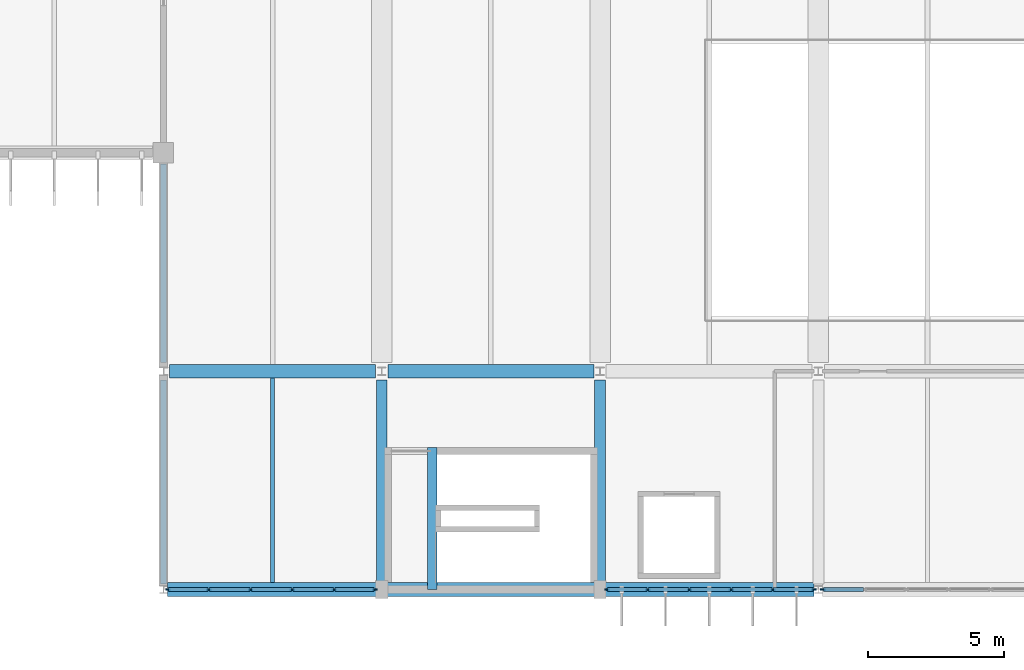
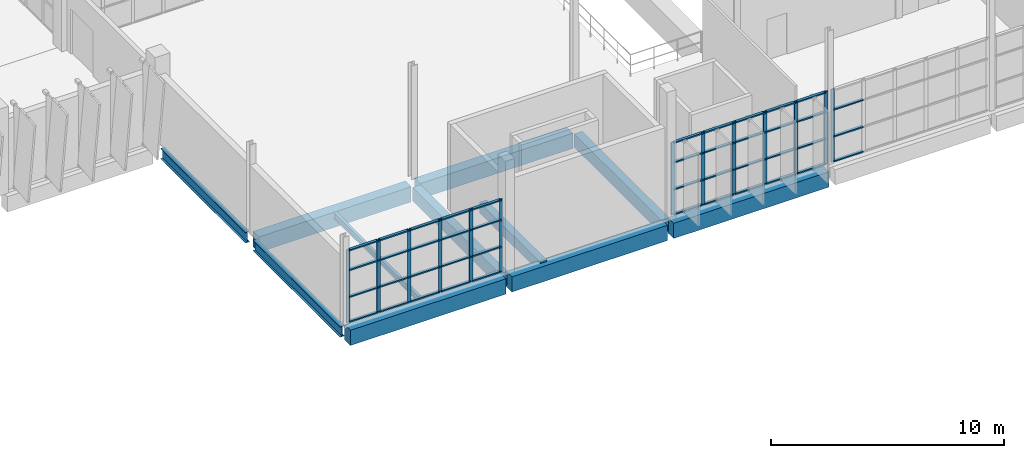
# One storey, part 17 of 93: 56 members, 11 beams, 3 elements without a shape of their own.
"""IFC4 building model written with IfcOpenShell, lengths in metres."""

from ifc_helpers import new_model, si_unit, direction, frame, origin, origin_2d, place, context, subcontext, project, spatial, rectangle, i_section, extrude, material, layer, layer_set, material_profile, profile_set, type_object, element, aggregate, save


model = new_model("IFC4")

# Units and contexts
model_context = context("Model", 3, precision=1e-05, world=origin(), true_north=direction((0.0, 1.0)))
body_context = subcontext(model_context, "Body", "Model", "MODEL_VIEW")
ifc_project = project(units=[si_unit("LENGTHUNIT", "METRE"), si_unit("AREAUNIT", "SQUARE_METRE"), si_unit("VOLUMEUNIT", "CUBIC_METRE"), si_unit("PLANEANGLEUNIT", "RADIAN"), si_unit("MASSUNIT", "GRAM", prefix="KILO")], contexts=[model_context])

# Site, building, storey
site_placement = place(None, origin())
site = spatial("IfcSite", under=ifc_project, at=site_placement, CompositionType="ELEMENT")
building_placement = place(site_placement, origin())
building = spatial("IfcBuilding", under=site, at=building_placement, Name="Drelvana Railside Aquatics Centre", CompositionType="ELEMENT")
storey_placement = place(building_placement, frame((0.0, 0.0, 5.39990234375)))
storey = spatial("IfcBuildingStorey", under=building, at=storey_placement, Name="L01", CompositionType="ELEMENT", Elevation=5.39990234375)

# Curtain wall, members
ifc_material_1 = material(Name="Bronze-anodised aluminium curtain wall", Category="aluminium")
ifc_layer = layer(ifc_material_1, 0.18994140625, Name="Bronze-anodised aluminium curtain wall")
ifc_layer_set = layer_set([ifc_layer], Name="Bronze-anodised aluminium curtain wall")
curtain_wall_type = type_object("IfcCurtainWallType", Name="CW-Z4-FOYER", PredefinedType="NOTDEFINED", material=ifc_layer_set)
curtain_wall_1_placement = place(storey_placement, origin())
curtain_wall_1 = element("IfcCurtainWall", 1, at=curtain_wall_1_placement, inside=storey, type_object=curtain_wall_type, Name="Curtain wall CW-04-099", PredefinedType="NOTDEFINED")
ifc_material_2 = material(Name="Bronze-anodised aluminium 6063-T6", Category="aluminium")
ifc_material_profile_1 = material_profile(ifc_material_2, rectangle(XDim=0.06494140625, YDim=0.175048828125, at=origin_2d()), Name="ALU-M 65x175")
ifc_profile_set_1 = profile_set([ifc_material_profile_1], Name="Bronze-anodised aluminium 6063-T6")
member_type_1 = type_object("IfcMemberType", Name="CW-Z4-FOYER-MUL", PredefinedType="MULLION", material=ifc_profile_set_1)
member_1_placement = place(storey_placement, frame((96.16650390625, 0.0, -0.005859375), z_axis=(0.0, 0.0, 1.0), x_axis=(0.0, 1.0, 0.0)))
member_1 = element("IfcMember", 2, at=member_1_placement, type_object=member_type_1, Name="CW-04 mullion 1", PredefinedType="MULLION", context=body_context, shape_type="SweptSolid", body=[
    extrude(rectangle(XDim=0.06494140625, YDim=0.175048828125, at=origin_2d()), origin(), (0.0, 0.0, 1.0), 3.805908203125),
])
member_2_placement = place(storey_placement, frame((97.663330078125, 0.0, -0.005859375), z_axis=(0.0, 0.0, 1.0), x_axis=(0.0, 1.0, 0.0)))
member_2 = element("IfcMember", 3, at=member_2_placement, type_object=member_type_1, Name="CW-04 mullion 2", PredefinedType="MULLION", context=body_context, shape_type="SweptSolid", body=[
    extrude(rectangle(XDim=0.06494140625, YDim=0.175048828125, at=origin_2d()), origin(), (0.0, 0.0, 1.0), 3.805908203125),
])
member_3_placement = place(storey_placement, frame((99.19287109375, 0.0, -0.005859375), z_axis=(0.0, 0.0, 1.0), x_axis=(0.0, 1.0, 0.0)))
member_3 = element("IfcMember", 4, at=member_3_placement, type_object=member_type_1, Name="CW-04 mullion 3", PredefinedType="MULLION", context=body_context, shape_type="SweptSolid", body=[
    extrude(rectangle(XDim=0.06494140625, YDim=0.175048828125, at=origin_2d()), origin(), (0.0, 0.0, 1.0), 3.805908203125),
])
member_4_placement = place(storey_placement, frame((100.72216796875, 0.0, -0.005859375), z_axis=(0.0, 0.0, 1.0), x_axis=(0.0, 1.0, 0.0)))
member_4 = element("IfcMember", 5, at=member_4_placement, type_object=member_type_1, Name="CW-04 mullion 4", PredefinedType="MULLION", context=body_context, shape_type="SweptSolid", body=[
    extrude(rectangle(XDim=0.06494140625, YDim=0.175048828125, at=origin_2d()), origin(), (0.0, 0.0, 1.0), 3.805908203125),
])
member_5_placement = place(storey_placement, frame((102.251708984375, 0.0, -0.005859375), z_axis=(0.0, 0.0, 1.0), x_axis=(0.0, 1.0, 0.0)))
member_5 = element("IfcMember", 6, at=member_5_placement, type_object=member_type_1, Name="CW-04 mullion 5", PredefinedType="MULLION", context=body_context, shape_type="SweptSolid", body=[
    extrude(rectangle(XDim=0.06494140625, YDim=0.175048828125, at=origin_2d()), origin(), (0.0, 0.0, 1.0), 3.805908203125),
])
member_6_placement = place(storey_placement, frame((103.74853515625, 0.0, -0.005859375), z_axis=(0.0, 0.0, 1.0), x_axis=(0.0, 1.0, 0.0)))
member_6 = element("IfcMember", 7, at=member_6_placement, type_object=member_type_1, Name="CW-04 mullion 6", PredefinedType="MULLION", context=body_context, shape_type="SweptSolid", body=[
    extrude(rectangle(XDim=0.06494140625, YDim=0.175048828125, at=origin_2d()), origin(), (0.0, 0.0, 1.0), 3.805908203125),
])

curtain_wall_2_placement = place(storey_placement, origin())
curtain_wall_2 = element("IfcCurtainWall", 8, at=curtain_wall_2_placement, inside=storey, type_object=curtain_wall_type, Name="Curtain wall CW-04-105", PredefinedType="NOTDEFINED")
member_7_placement = place(storey_placement, frame((112.25146484375, 0.0, -0.005859375), z_axis=(0.0, 0.0, 1.0), x_axis=(0.0, 1.0, 0.0)))
member_7 = element("IfcMember", 9, at=member_7_placement, type_object=member_type_1, Name="CW-04 mullion 1", PredefinedType="MULLION", context=body_context, shape_type="SweptSolid", body=[
    extrude(rectangle(XDim=0.06494140625, YDim=0.175048828125, at=origin_2d()), origin(), (0.0, 0.0, 1.0), 3.805908203125),
])
member_8_placement = place(storey_placement, frame((113.748291015625, 0.0, -0.005859375), z_axis=(0.0, 0.0, 1.0), x_axis=(0.0, 1.0, 0.0)))
member_8 = element("IfcMember", 10, at=member_8_placement, type_object=member_type_1, Name="CW-04 mullion 2", PredefinedType="MULLION", context=body_context, shape_type="SweptSolid", body=[
    extrude(rectangle(XDim=0.06494140625, YDim=0.175048828125, at=origin_2d()), origin(), (0.0, 0.0, 1.0), 3.805908203125),
])
member_9_placement = place(storey_placement, frame((115.27783203125, 0.0, -0.005859375), z_axis=(0.0, 0.0, 1.0), x_axis=(0.0, 1.0, 0.0)))
member_9 = element("IfcMember", 11, at=member_9_placement, type_object=member_type_1, Name="CW-04 mullion 3", PredefinedType="MULLION", context=body_context, shape_type="SweptSolid", body=[
    extrude(rectangle(XDim=0.06494140625, YDim=0.175048828125, at=origin_2d()), origin(), (0.0, 0.0, 1.0), 3.805908203125),
])
member_10_placement = place(storey_placement, frame((116.80712890625, 0.0, -0.005859375), z_axis=(0.0, 0.0, 1.0), x_axis=(0.0, 1.0, 0.0)))
member_10 = element("IfcMember", 12, at=member_10_placement, type_object=member_type_1, Name="CW-04 mullion 4", PredefinedType="MULLION", context=body_context, shape_type="SweptSolid", body=[
    extrude(rectangle(XDim=0.06494140625, YDim=0.175048828125, at=origin_2d()), origin(), (0.0, 0.0, 1.0), 3.805908203125),
])
member_11_placement = place(storey_placement, frame((118.336669921875, 0.0, -0.005859375), z_axis=(0.0, 0.0, 1.0), x_axis=(0.0, 1.0, 0.0)))
member_11 = element("IfcMember", 13, at=member_11_placement, type_object=member_type_1, Name="CW-04 mullion 5", PredefinedType="MULLION", context=body_context, shape_type="SweptSolid", body=[
    extrude(rectangle(XDim=0.06494140625, YDim=0.175048828125, at=origin_2d()), origin(), (0.0, 0.0, 1.0), 3.805908203125),
])
member_12_placement = place(storey_placement, frame((119.83349609375, 0.0, -0.005859375), z_axis=(0.0, 0.0, 1.0), x_axis=(0.0, 1.0, 0.0)))
member_12 = element("IfcMember", 14, at=member_12_placement, type_object=member_type_1, Name="CW-04 mullion 6", PredefinedType="MULLION", context=body_context, shape_type="SweptSolid", body=[
    extrude(rectangle(XDim=0.06494140625, YDim=0.175048828125, at=origin_2d()), origin(), (0.0, 0.0, 1.0), 3.805908203125),
])

# Curtain wall, member
curtain_wall_3_placement = place(storey_placement, origin())
curtain_wall_3 = element("IfcCurtainWall", 15, at=curtain_wall_3_placement, inside=storey, type_object=curtain_wall_type, Name="Curtain wall CW-04-108", PredefinedType="NOTDEFINED")
member_13_placement = place(storey_placement, frame((120.16650390625, 0.0, -0.005859375), z_axis=(0.0, 0.0, 1.0), x_axis=(0.0, 1.0, 0.0)))
member_13 = element("IfcMember", 16, at=member_13_placement, type_object=member_type_1, Name="CW-04 mullion 1", PredefinedType="MULLION", context=body_context, shape_type="SweptSolid", body=[
    extrude(rectangle(XDim=0.06494140625, YDim=0.175048828125, at=origin_2d()), origin(), (0.0, 0.0, 1.0), 3.805908203125),
])

# Member
ifc_material_profile_2 = material_profile(ifc_material_2, rectangle(XDim=0.139892578125, YDim=0.06494140625, at=origin_2d()), Name="ALU-T 65x140")
ifc_profile_set_2 = profile_set([ifc_material_profile_2], Name="Bronze-anodised aluminium 6063-T6")
member_type_2 = type_object("IfcMemberType", Name="CW-Z4-FOYER-TRN", PredefinedType="USERDEFINED", material=ifc_profile_set_2)
member_14_placement = place(storey_placement, frame((96.194091796875, 0.0, 0.026611328125), z_axis=(1.0, 0.0, 0.0), x_axis=(0.0, 1.0, 0.0)))
member_14 = element("IfcMember", 17, at=member_14_placement, type_object=member_type_2, Name="CW-04 transom 1.1", ObjectType="TRANSOM", PredefinedType="USERDEFINED", context=body_context, shape_type="SweptSolid", body=[
    extrude(rectangle(XDim=0.139892578125, YDim=0.06494140625, at=origin_2d()), origin(), (0.0, 0.0, 1.0), 1.44189453125),
])

member_15_placement = place(storey_placement, frame((96.194091796875, 0.0, 1.326171875), z_axis=(1.0, 0.0, 0.0), x_axis=(0.0, 1.0, 0.0)))
member_15 = element("IfcMember", 18, at=member_15_placement, type_object=member_type_2, Name="CW-04 transom 1.2", ObjectType="TRANSOM", PredefinedType="USERDEFINED", context=body_context, shape_type="SweptSolid", body=[
    extrude(rectangle(XDim=0.139892578125, YDim=0.06494140625, at=origin_2d()), origin(), (0.0, 0.0, 1.0), 1.44189453125),
])

member_16_placement = place(storey_placement, frame((96.194091796875, 0.0, 2.734130859375), z_axis=(1.0, 0.0, 0.0), x_axis=(0.0, 1.0, 0.0)))
member_16 = element("IfcMember", 19, at=member_16_placement, type_object=member_type_2, Name="CW-04 transom 1.3", ObjectType="TRANSOM", PredefinedType="USERDEFINED", context=body_context, shape_type="SweptSolid", body=[
    extrude(rectangle(XDim=0.139892578125, YDim=0.06494140625, at=origin_2d()), origin(), (0.0, 0.0, 1.0), 1.44189453125),
])

member_17_placement = place(storey_placement, frame((96.194091796875, 0.0, 3.767578125), z_axis=(1.0, 0.0, 0.0), x_axis=(0.0, 1.0, 0.0)))
member_17 = element("IfcMember", 20, at=member_17_placement, type_object=member_type_2, Name="CW-04 transom 1.4", ObjectType="TRANSOM", PredefinedType="USERDEFINED", context=body_context, shape_type="SweptSolid", body=[
    extrude(rectangle(XDim=0.139892578125, YDim=0.06494140625, at=origin_2d()), origin(), (0.0, 0.0, 1.0), 1.44189453125),
])

member_18_placement = place(storey_placement, frame((97.69091796875, 0.0, 0.026611328125), z_axis=(1.0, 0.0, 0.0), x_axis=(0.0, 1.0, 0.0)))
member_18 = element("IfcMember", 21, at=member_18_placement, type_object=member_type_2, Name="CW-04 transom 2.1", ObjectType="TRANSOM", PredefinedType="USERDEFINED", context=body_context, shape_type="SweptSolid", body=[
    extrude(rectangle(XDim=0.139892578125, YDim=0.06494140625, at=origin_2d()), origin(), (0.0, 0.0, 1.0), 1.474365234375),
])

member_19_placement = place(storey_placement, frame((97.69091796875, 0.0, 1.326171875), z_axis=(1.0, 0.0, 0.0), x_axis=(0.0, 1.0, 0.0)))
member_19 = element("IfcMember", 22, at=member_19_placement, type_object=member_type_2, Name="CW-04 transom 2.2", ObjectType="TRANSOM", PredefinedType="USERDEFINED", context=body_context, shape_type="SweptSolid", body=[
    extrude(rectangle(XDim=0.139892578125, YDim=0.06494140625, at=origin_2d()), origin(), (0.0, 0.0, 1.0), 1.474365234375),
])

member_20_placement = place(storey_placement, frame((97.69091796875, 0.0, 2.734130859375), z_axis=(1.0, 0.0, 0.0), x_axis=(0.0, 1.0, 0.0)))
member_20 = element("IfcMember", 23, at=member_20_placement, type_object=member_type_2, Name="CW-04 transom 2.3", ObjectType="TRANSOM", PredefinedType="USERDEFINED", context=body_context, shape_type="SweptSolid", body=[
    extrude(rectangle(XDim=0.139892578125, YDim=0.06494140625, at=origin_2d()), origin(), (0.0, 0.0, 1.0), 1.474365234375),
])

member_21_placement = place(storey_placement, frame((97.69091796875, 0.0, 3.767578125), z_axis=(1.0, 0.0, 0.0), x_axis=(0.0, 1.0, 0.0)))
member_21 = element("IfcMember", 24, at=member_21_placement, type_object=member_type_2, Name="CW-04 transom 2.4", ObjectType="TRANSOM", PredefinedType="USERDEFINED", context=body_context, shape_type="SweptSolid", body=[
    extrude(rectangle(XDim=0.139892578125, YDim=0.06494140625, at=origin_2d()), origin(), (0.0, 0.0, 1.0), 1.474365234375),
])

member_22_placement = place(storey_placement, frame((99.22021484375, 0.0, 0.026611328125), z_axis=(1.0, 0.0, 0.0), x_axis=(0.0, 1.0, 0.0)))
member_22 = element("IfcMember", 25, at=member_22_placement, type_object=member_type_2, Name="CW-04 transom 3.1", ObjectType="TRANSOM", PredefinedType="USERDEFINED", context=body_context, shape_type="SweptSolid", body=[
    extrude(rectangle(XDim=0.139892578125, YDim=0.06494140625, at=origin_2d()), origin(), (0.0, 0.0, 1.0), 1.474365234375),
])

member_23_placement = place(storey_placement, frame((99.22021484375, 0.0, 1.326171875), z_axis=(1.0, 0.0, 0.0), x_axis=(0.0, 1.0, 0.0)))
member_23 = element("IfcMember", 26, at=member_23_placement, type_object=member_type_2, Name="CW-04 transom 3.2", ObjectType="TRANSOM", PredefinedType="USERDEFINED", context=body_context, shape_type="SweptSolid", body=[
    extrude(rectangle(XDim=0.139892578125, YDim=0.06494140625, at=origin_2d()), origin(), (0.0, 0.0, 1.0), 1.474365234375),
])

member_24_placement = place(storey_placement, frame((99.22021484375, 0.0, 2.734130859375), z_axis=(1.0, 0.0, 0.0), x_axis=(0.0, 1.0, 0.0)))
member_24 = element("IfcMember", 27, at=member_24_placement, type_object=member_type_2, Name="CW-04 transom 3.3", ObjectType="TRANSOM", PredefinedType="USERDEFINED", context=body_context, shape_type="SweptSolid", body=[
    extrude(rectangle(XDim=0.139892578125, YDim=0.06494140625, at=origin_2d()), origin(), (0.0, 0.0, 1.0), 1.474365234375),
])

member_25_placement = place(storey_placement, frame((99.22021484375, 0.0, 3.767578125), z_axis=(1.0, 0.0, 0.0), x_axis=(0.0, 1.0, 0.0)))
member_25 = element("IfcMember", 28, at=member_25_placement, type_object=member_type_2, Name="CW-04 transom 3.4", ObjectType="TRANSOM", PredefinedType="USERDEFINED", context=body_context, shape_type="SweptSolid", body=[
    extrude(rectangle(XDim=0.139892578125, YDim=0.06494140625, at=origin_2d()), origin(), (0.0, 0.0, 1.0), 1.474365234375),
])

member_26_placement = place(storey_placement, frame((100.749755859375, 0.0, 0.026611328125), z_axis=(1.0, 0.0, 0.0), x_axis=(0.0, 1.0, 0.0)))
member_26 = element("IfcMember", 29, at=member_26_placement, type_object=member_type_2, Name="CW-04 transom 4.1", ObjectType="TRANSOM", PredefinedType="USERDEFINED", context=body_context, shape_type="SweptSolid", body=[
    extrude(rectangle(XDim=0.139892578125, YDim=0.06494140625, at=origin_2d()), origin(), (0.0, 0.0, 1.0), 1.474365234375),
])

member_27_placement = place(storey_placement, frame((100.749755859375, 0.0, 1.326171875), z_axis=(1.0, 0.0, 0.0), x_axis=(0.0, 1.0, 0.0)))
member_27 = element("IfcMember", 30, at=member_27_placement, type_object=member_type_2, Name="CW-04 transom 4.2", ObjectType="TRANSOM", PredefinedType="USERDEFINED", context=body_context, shape_type="SweptSolid", body=[
    extrude(rectangle(XDim=0.139892578125, YDim=0.06494140625, at=origin_2d()), origin(), (0.0, 0.0, 1.0), 1.474365234375),
])

member_28_placement = place(storey_placement, frame((100.749755859375, 0.0, 2.734130859375), z_axis=(1.0, 0.0, 0.0), x_axis=(0.0, 1.0, 0.0)))
member_28 = element("IfcMember", 31, at=member_28_placement, type_object=member_type_2, Name="CW-04 transom 4.3", ObjectType="TRANSOM", PredefinedType="USERDEFINED", context=body_context, shape_type="SweptSolid", body=[
    extrude(rectangle(XDim=0.139892578125, YDim=0.06494140625, at=origin_2d()), origin(), (0.0, 0.0, 1.0), 1.474365234375),
])

member_29_placement = place(storey_placement, frame((100.749755859375, 0.0, 3.767578125), z_axis=(1.0, 0.0, 0.0), x_axis=(0.0, 1.0, 0.0)))
member_29 = element("IfcMember", 32, at=member_29_placement, type_object=member_type_2, Name="CW-04 transom 4.4", ObjectType="TRANSOM", PredefinedType="USERDEFINED", context=body_context, shape_type="SweptSolid", body=[
    extrude(rectangle(XDim=0.139892578125, YDim=0.06494140625, at=origin_2d()), origin(), (0.0, 0.0, 1.0), 1.474365234375),
])

member_30_placement = place(storey_placement, frame((102.279052734375, 0.0, 0.026611328125), z_axis=(1.0, 0.0, 0.0), x_axis=(0.0, 1.0, 0.0)))
member_30 = element("IfcMember", 33, at=member_30_placement, type_object=member_type_2, Name="CW-04 transom 5.1", ObjectType="TRANSOM", PredefinedType="USERDEFINED", context=body_context, shape_type="SweptSolid", body=[
    extrude(rectangle(XDim=0.139892578125, YDim=0.06494140625, at=origin_2d()), origin(), (0.0, 0.0, 1.0), 1.44189453125),
])

member_31_placement = place(storey_placement, frame((102.279052734375, 0.0, 1.326171875), z_axis=(1.0, 0.0, 0.0), x_axis=(0.0, 1.0, 0.0)))
member_31 = element("IfcMember", 34, at=member_31_placement, type_object=member_type_2, Name="CW-04 transom 5.2", ObjectType="TRANSOM", PredefinedType="USERDEFINED", context=body_context, shape_type="SweptSolid", body=[
    extrude(rectangle(XDim=0.139892578125, YDim=0.06494140625, at=origin_2d()), origin(), (0.0, 0.0, 1.0), 1.44189453125),
])

member_32_placement = place(storey_placement, frame((102.279052734375, 0.0, 2.734130859375), z_axis=(1.0, 0.0, 0.0), x_axis=(0.0, 1.0, 0.0)))
member_32 = element("IfcMember", 35, at=member_32_placement, type_object=member_type_2, Name="CW-04 transom 5.3", ObjectType="TRANSOM", PredefinedType="USERDEFINED", context=body_context, shape_type="SweptSolid", body=[
    extrude(rectangle(XDim=0.139892578125, YDim=0.06494140625, at=origin_2d()), origin(), (0.0, 0.0, 1.0), 1.44189453125),
])

member_33_placement = place(storey_placement, frame((102.279052734375, 0.0, 3.767578125), z_axis=(1.0, 0.0, 0.0), x_axis=(0.0, 1.0, 0.0)))
member_33 = element("IfcMember", 36, at=member_33_placement, type_object=member_type_2, Name="CW-04 transom 5.4", ObjectType="TRANSOM", PredefinedType="USERDEFINED", context=body_context, shape_type="SweptSolid", body=[
    extrude(rectangle(XDim=0.139892578125, YDim=0.06494140625, at=origin_2d()), origin(), (0.0, 0.0, 1.0), 1.44189453125),
])

aggregate(curtain_wall_1, [member_1, member_2, member_3, member_4, member_5, member_6, member_14, member_15, member_16, member_17, member_18, member_19, member_20, member_21, member_22, member_23, member_24, member_25, member_26, member_27, member_28, member_29, member_30, member_31, member_32, member_33])

member_34_placement = place(storey_placement, frame((112.279052734375, 0.0, 0.026611328125), z_axis=(1.0, 0.0, 0.0), x_axis=(0.0, 1.0, 0.0)))
member_34 = element("IfcMember", 37, at=member_34_placement, type_object=member_type_2, Name="CW-04 transom 1.1", ObjectType="TRANSOM", PredefinedType="USERDEFINED", context=body_context, shape_type="SweptSolid", body=[
    extrude(rectangle(XDim=0.139892578125, YDim=0.06494140625, at=origin_2d()), origin(), (0.0, 0.0, 1.0), 1.44189453125),
])

member_35_placement = place(storey_placement, frame((112.279052734375, 0.0, 1.326171875), z_axis=(1.0, 0.0, 0.0), x_axis=(0.0, 1.0, 0.0)))
member_35 = element("IfcMember", 38, at=member_35_placement, type_object=member_type_2, Name="CW-04 transom 1.2", ObjectType="TRANSOM", PredefinedType="USERDEFINED", context=body_context, shape_type="SweptSolid", body=[
    extrude(rectangle(XDim=0.139892578125, YDim=0.06494140625, at=origin_2d()), origin(), (0.0, 0.0, 1.0), 1.44189453125),
])

member_36_placement = place(storey_placement, frame((112.279052734375, 0.0, 2.734130859375), z_axis=(1.0, 0.0, 0.0), x_axis=(0.0, 1.0, 0.0)))
member_36 = element("IfcMember", 39, at=member_36_placement, type_object=member_type_2, Name="CW-04 transom 1.3", ObjectType="TRANSOM", PredefinedType="USERDEFINED", context=body_context, shape_type="SweptSolid", body=[
    extrude(rectangle(XDim=0.139892578125, YDim=0.06494140625, at=origin_2d()), origin(), (0.0, 0.0, 1.0), 1.44189453125),
])

member_37_placement = place(storey_placement, frame((112.279052734375, 0.0, 3.767578125), z_axis=(1.0, 0.0, 0.0), x_axis=(0.0, 1.0, 0.0)))
member_37 = element("IfcMember", 40, at=member_37_placement, type_object=member_type_2, Name="CW-04 transom 1.4", ObjectType="TRANSOM", PredefinedType="USERDEFINED", context=body_context, shape_type="SweptSolid", body=[
    extrude(rectangle(XDim=0.139892578125, YDim=0.06494140625, at=origin_2d()), origin(), (0.0, 0.0, 1.0), 1.44189453125),
])

member_38_placement = place(storey_placement, frame((113.77587890625, 0.0, 0.026611328125), z_axis=(1.0, 0.0, 0.0), x_axis=(0.0, 1.0, 0.0)))
member_38 = element("IfcMember", 41, at=member_38_placement, type_object=member_type_2, Name="CW-04 transom 2.1", ObjectType="TRANSOM", PredefinedType="USERDEFINED", context=body_context, shape_type="SweptSolid", body=[
    extrude(rectangle(XDim=0.139892578125, YDim=0.06494140625, at=origin_2d()), origin(), (0.0, 0.0, 1.0), 1.474365234375),
])

member_39_placement = place(storey_placement, frame((113.77587890625, 0.0, 1.326171875), z_axis=(1.0, 0.0, 0.0), x_axis=(0.0, 1.0, 0.0)))
member_39 = element("IfcMember", 42, at=member_39_placement, type_object=member_type_2, Name="CW-04 transom 2.2", ObjectType="TRANSOM", PredefinedType="USERDEFINED", context=body_context, shape_type="SweptSolid", body=[
    extrude(rectangle(XDim=0.139892578125, YDim=0.06494140625, at=origin_2d()), origin(), (0.0, 0.0, 1.0), 1.474365234375),
])

member_40_placement = place(storey_placement, frame((113.77587890625, 0.0, 2.734130859375), z_axis=(1.0, 0.0, 0.0), x_axis=(0.0, 1.0, 0.0)))
member_40 = element("IfcMember", 43, at=member_40_placement, type_object=member_type_2, Name="CW-04 transom 2.3", ObjectType="TRANSOM", PredefinedType="USERDEFINED", context=body_context, shape_type="SweptSolid", body=[
    extrude(rectangle(XDim=0.139892578125, YDim=0.06494140625, at=origin_2d()), origin(), (0.0, 0.0, 1.0), 1.474365234375),
])

member_41_placement = place(storey_placement, frame((113.77587890625, 0.0, 3.767578125), z_axis=(1.0, 0.0, 0.0), x_axis=(0.0, 1.0, 0.0)))
member_41 = element("IfcMember", 44, at=member_41_placement, type_object=member_type_2, Name="CW-04 transom 2.4", ObjectType="TRANSOM", PredefinedType="USERDEFINED", context=body_context, shape_type="SweptSolid", body=[
    extrude(rectangle(XDim=0.139892578125, YDim=0.06494140625, at=origin_2d()), origin(), (0.0, 0.0, 1.0), 1.474365234375),
])

member_42_placement = place(storey_placement, frame((115.305419921875, 0.0, 0.026611328125), z_axis=(1.0, 0.0, 0.0), x_axis=(0.0, 1.0, 0.0)))
member_42 = element("IfcMember", 45, at=member_42_placement, type_object=member_type_2, Name="CW-04 transom 3.1", ObjectType="TRANSOM", PredefinedType="USERDEFINED", context=body_context, shape_type="SweptSolid", body=[
    extrude(rectangle(XDim=0.139892578125, YDim=0.06494140625, at=origin_2d()), origin(), (0.0, 0.0, 1.0), 1.474365234375),
])

member_43_placement = place(storey_placement, frame((115.305419921875, 0.0, 1.326171875), z_axis=(1.0, 0.0, 0.0), x_axis=(0.0, 1.0, 0.0)))
member_43 = element("IfcMember", 46, at=member_43_placement, type_object=member_type_2, Name="CW-04 transom 3.2", ObjectType="TRANSOM", PredefinedType="USERDEFINED", context=body_context, shape_type="SweptSolid", body=[
    extrude(rectangle(XDim=0.139892578125, YDim=0.06494140625, at=origin_2d()), origin(), (0.0, 0.0, 1.0), 1.474365234375),
])

member_44_placement = place(storey_placement, frame((115.305419921875, 0.0, 2.734130859375), z_axis=(1.0, 0.0, 0.0), x_axis=(0.0, 1.0, 0.0)))
member_44 = element("IfcMember", 47, at=member_44_placement, type_object=member_type_2, Name="CW-04 transom 3.3", ObjectType="TRANSOM", PredefinedType="USERDEFINED", context=body_context, shape_type="SweptSolid", body=[
    extrude(rectangle(XDim=0.139892578125, YDim=0.06494140625, at=origin_2d()), origin(), (0.0, 0.0, 1.0), 1.474365234375),
])

member_45_placement = place(storey_placement, frame((115.305419921875, 0.0, 3.767578125), z_axis=(1.0, 0.0, 0.0), x_axis=(0.0, 1.0, 0.0)))
member_45 = element("IfcMember", 48, at=member_45_placement, type_object=member_type_2, Name="CW-04 transom 3.4", ObjectType="TRANSOM", PredefinedType="USERDEFINED", context=body_context, shape_type="SweptSolid", body=[
    extrude(rectangle(XDim=0.139892578125, YDim=0.06494140625, at=origin_2d()), origin(), (0.0, 0.0, 1.0), 1.474365234375),
])

member_46_placement = place(storey_placement, frame((116.834716796875, 0.0, 0.026611328125), z_axis=(1.0, 0.0, 0.0), x_axis=(0.0, 1.0, 0.0)))
member_46 = element("IfcMember", 49, at=member_46_placement, type_object=member_type_2, Name="CW-04 transom 4.1", ObjectType="TRANSOM", PredefinedType="USERDEFINED", context=body_context, shape_type="SweptSolid", body=[
    extrude(rectangle(XDim=0.139892578125, YDim=0.06494140625, at=origin_2d()), origin(), (0.0, 0.0, 1.0), 1.474365234375),
])

member_47_placement = place(storey_placement, frame((116.834716796875, 0.0, 1.326171875), z_axis=(1.0, 0.0, 0.0), x_axis=(0.0, 1.0, 0.0)))
member_47 = element("IfcMember", 50, at=member_47_placement, type_object=member_type_2, Name="CW-04 transom 4.2", ObjectType="TRANSOM", PredefinedType="USERDEFINED", context=body_context, shape_type="SweptSolid", body=[
    extrude(rectangle(XDim=0.139892578125, YDim=0.06494140625, at=origin_2d()), origin(), (0.0, 0.0, 1.0), 1.474365234375),
])

member_48_placement = place(storey_placement, frame((116.834716796875, 0.0, 2.734130859375), z_axis=(1.0, 0.0, 0.0), x_axis=(0.0, 1.0, 0.0)))
member_48 = element("IfcMember", 51, at=member_48_placement, type_object=member_type_2, Name="CW-04 transom 4.3", ObjectType="TRANSOM", PredefinedType="USERDEFINED", context=body_context, shape_type="SweptSolid", body=[
    extrude(rectangle(XDim=0.139892578125, YDim=0.06494140625, at=origin_2d()), origin(), (0.0, 0.0, 1.0), 1.474365234375),
])

member_49_placement = place(storey_placement, frame((116.834716796875, 0.0, 3.767578125), z_axis=(1.0, 0.0, 0.0), x_axis=(0.0, 1.0, 0.0)))
member_49 = element("IfcMember", 52, at=member_49_placement, type_object=member_type_2, Name="CW-04 transom 4.4", ObjectType="TRANSOM", PredefinedType="USERDEFINED", context=body_context, shape_type="SweptSolid", body=[
    extrude(rectangle(XDim=0.139892578125, YDim=0.06494140625, at=origin_2d()), origin(), (0.0, 0.0, 1.0), 1.474365234375),
])

member_50_placement = place(storey_placement, frame((118.364013671875, 0.0, 0.026611328125), z_axis=(1.0, 0.0, 0.0), x_axis=(0.0, 1.0, 0.0)))
member_50 = element("IfcMember", 53, at=member_50_placement, type_object=member_type_2, Name="CW-04 transom 5.1", ObjectType="TRANSOM", PredefinedType="USERDEFINED", context=body_context, shape_type="SweptSolid", body=[
    extrude(rectangle(XDim=0.139892578125, YDim=0.06494140625, at=origin_2d()), origin(), (0.0, 0.0, 1.0), 1.44189453125),
])

member_51_placement = place(storey_placement, frame((118.364013671875, 0.0, 1.326171875), z_axis=(1.0, 0.0, 0.0), x_axis=(0.0, 1.0, 0.0)))
member_51 = element("IfcMember", 54, at=member_51_placement, type_object=member_type_2, Name="CW-04 transom 5.2", ObjectType="TRANSOM", PredefinedType="USERDEFINED", context=body_context, shape_type="SweptSolid", body=[
    extrude(rectangle(XDim=0.139892578125, YDim=0.06494140625, at=origin_2d()), origin(), (0.0, 0.0, 1.0), 1.44189453125),
])

member_52_placement = place(storey_placement, frame((118.364013671875, 0.0, 2.734130859375), z_axis=(1.0, 0.0, 0.0), x_axis=(0.0, 1.0, 0.0)))
member_52 = element("IfcMember", 55, at=member_52_placement, type_object=member_type_2, Name="CW-04 transom 5.3", ObjectType="TRANSOM", PredefinedType="USERDEFINED", context=body_context, shape_type="SweptSolid", body=[
    extrude(rectangle(XDim=0.139892578125, YDim=0.06494140625, at=origin_2d()), origin(), (0.0, 0.0, 1.0), 1.44189453125),
])

member_53_placement = place(storey_placement, frame((118.364013671875, 0.0, 3.767578125), z_axis=(1.0, 0.0, 0.0), x_axis=(0.0, 1.0, 0.0)))
member_53 = element("IfcMember", 56, at=member_53_placement, type_object=member_type_2, Name="CW-04 transom 5.4", ObjectType="TRANSOM", PredefinedType="USERDEFINED", context=body_context, shape_type="SweptSolid", body=[
    extrude(rectangle(XDim=0.139892578125, YDim=0.06494140625, at=origin_2d()), origin(), (0.0, 0.0, 1.0), 1.44189453125),
])

aggregate(curtain_wall_2, [member_7, member_8, member_9, member_10, member_11, member_12, member_34, member_35, member_36, member_37, member_38, member_39, member_40, member_41, member_42, member_43, member_44, member_45, member_46, member_47, member_48, member_49, member_50, member_51, member_52, member_53])

member_54_placement = place(storey_placement, frame((120.194091796875, 0.0, 0.026611328125), z_axis=(1.0, 0.0, 0.0), x_axis=(0.0, 1.0, 0.0)))
member_54 = element("IfcMember", 57, at=member_54_placement, type_object=member_type_2, Name="CW-04 transom 1.1", ObjectType="TRANSOM", PredefinedType="USERDEFINED", context=body_context, shape_type="SweptSolid", body=[
    extrude(rectangle(XDim=0.139892578125, YDim=0.06494140625, at=origin_2d()), origin(), (0.0, 0.0, 1.0), 1.458740234375),
])

member_55_placement = place(storey_placement, frame((120.194091796875, 0.0, 1.326171875), z_axis=(1.0, 0.0, 0.0), x_axis=(0.0, 1.0, 0.0)))
member_55 = element("IfcMember", 58, at=member_55_placement, type_object=member_type_2, Name="CW-04 transom 1.2", ObjectType="TRANSOM", PredefinedType="USERDEFINED", context=body_context, shape_type="SweptSolid", body=[
    extrude(rectangle(XDim=0.139892578125, YDim=0.06494140625, at=origin_2d()), origin(), (0.0, 0.0, 1.0), 1.458740234375),
])

member_56_placement = place(storey_placement, frame((120.194091796875, 0.0, 2.734130859375), z_axis=(1.0, 0.0, 0.0), x_axis=(0.0, 1.0, 0.0)))
member_56 = element("IfcMember", 59, at=member_56_placement, type_object=member_type_2, Name="CW-04 transom 1.3", ObjectType="TRANSOM", PredefinedType="USERDEFINED", context=body_context, shape_type="SweptSolid", body=[
    extrude(rectangle(XDim=0.139892578125, YDim=0.06494140625, at=origin_2d()), origin(), (0.0, 0.0, 1.0), 1.458740234375),
])

aggregate(curtain_wall_3, [member_13, member_54, member_55, member_56])

# Beams
ifc_material_3 = material(Name="Concrete C40/50", Category="concrete")
ifc_material_profile_3 = material_profile(ifc_material_3, rectangle(XDim=0.35009765625, YDim=0.550048828125, at=origin_2d()), Name="RC 350x550")
ifc_profile_set_3 = profile_set([ifc_material_profile_3], Name="Concrete C40/50")
beam_type_1 = type_object("IfcBeamType", Name="STR-BM-BM-01-RC-350x550", PredefinedType="BEAM", material=ifc_profile_set_3)
beam_1_placement = place(storey_placement, frame((105.85009765625, 0.0, -0.474853515625), z_axis=(0.0, 1.0, 0.0), x_axis=(-1.0, 0.0, 0.0)))
element("IfcBeam", 60, at=beam_1_placement, inside=storey, type_object=beam_type_1, Name="Stair ST-04 L01 landing beam", PredefinedType="BEAM", context=body_context, shape_type="SweptSolid", body=[
    extrude(rectangle(XDim=0.35009765625, YDim=0.550048828125, at=origin_2d()), origin(), (0.0, 0.0, 1.0), 5.199951171875),
])
ifc_material_profile_4 = material_profile(ifc_material_3, rectangle(XDim=0.39990234375, YDim=0.699951171875, at=origin_2d()), Name="RC 400x700")
ifc_profile_set_4 = profile_set([ifc_material_profile_4], Name="Concrete C40/50")
beam_type_2 = type_object("IfcBeamType", Name="STR-BM-BM-03-RC-400x700", PredefinedType="BEAM", material=ifc_profile_set_4)
for number, where, z_axis, x_axis, name in (
    (61, (104.0, 0.199951171875, -0.625), (0.0, 1.0, 0.0), (-1.0, 0.0, 0.0), "Girder BM-03 (L01)"),
    (62, (112.0, 0.199951171875, -0.625), (0.0, 1.0, 0.0), (-1.0, 0.0, 0.0), "Girder BM-03 (L01)"),
):
    element("IfcBeam", number, at=place(storey_placement, frame(where, z_axis=z_axis, x_axis=x_axis)), inside=storey, type_object=beam_type_2, Name=name, PredefinedType="BEAM", context=body_context, shape_type="SweptSolid", body=[
        extrude(rectangle(XDim=0.39990234375, YDim=0.699951171875, at=origin_2d()), origin(), (0.0, 0.0, 1.0), 7.47509765625),
    ])
ifc_material_profile_5 = material_profile(ifc_material_3, rectangle(XDim=0.5, YDim=0.800048828125, at=origin_2d()), Name="RC 500x800")
ifc_profile_set_5 = profile_set([ifc_material_profile_5], Name="Concrete C40/50")
beam_type_3 = type_object("IfcBeamType", Name="STR-BM-BM-06-RC-500x800", PredefinedType="SPANDREL", material=ifc_profile_set_5)
for number, where, z_axis, x_axis, name in (
    (63, (96.14990234375, 0.0, -0.6748046875), (1.0, 0.0, 0.0), (0.0, 1.0, 0.0), "Girder BM-06 (L01)"),
    (64, (104.14990234375, 0.0, -0.6748046875), (1.0, 0.0, 0.0), (0.0, 1.0, 0.0), "Girder BM-06 (L01)"),
    (65, (112.14990234375, 0.0, -0.6748046875), (1.0, 0.0, 0.0), (0.0, 1.0, 0.0), "Girder BM-06 (L01)"),
):
    element("IfcBeam", number, at=place(storey_placement, frame(where, z_axis=z_axis, x_axis=x_axis)), inside=storey, type_object=beam_type_3, Name=name, PredefinedType="SPANDREL", context=body_context, shape_type="SweptSolid", body=[
        extrude(rectangle(XDim=0.5, YDim=0.800048828125, at=origin_2d()), origin(), (0.0, 0.0, 1.0), 7.7001953125),
    ])
for number, where, z_axis, x_axis, name in (
    (66, (96.22509765625, 8.0, -0.6748046875), (1.0, 0.0, 0.0), (0.0, 1.0, 0.0), "Girder BM-06 (L01)"),
    (67, (104.22509765625, 8.0, -0.6748046875), (1.0, 0.0, 0.0), (0.0, 1.0, 0.0), "Girder BM-06 (L01)"),
):
    element("IfcBeam", number, at=place(storey_placement, frame(where, z_axis=z_axis, x_axis=x_axis)), inside=storey, type_object=beam_type_3, Name=name, PredefinedType="SPANDREL", context=body_context, shape_type="SweptSolid", body=[
        extrude(rectangle(XDim=0.5, YDim=0.800048828125, at=origin_2d()), origin(), (0.0, 0.0, 1.0), 7.5498046875),
    ])
ifc_material_4 = material(Name="Structural steel S355", Category="steel")
ifc_material_profile_6 = material_profile(ifc_material_4, i_section(OverallWidth=0.2099609375, OverallDepth=0.550048828125, WebThickness=0.010986328125, FlangeThickness=0.01708984375, at=origin_2d()), Name="IPE 550")
ifc_profile_set_6 = profile_set([ifc_material_profile_6], Name="Structural steel S355")
beam_type_4 = type_object("IfcBeamType", Name="STR-SBM-SB-04-IPE-550", PredefinedType="SPANDREL", material=ifc_profile_set_6)
beam_2_placement = place(storey_placement, frame((96.0, 0.199951171875, -0.5498046875), z_axis=(0.0, 1.0, 0.0), x_axis=(-1.0, 0.0, 0.0)))
element("IfcBeam", 68, at=beam_2_placement, inside=storey, type_object=beam_type_4, Name="Girder SB-04 (L01)", PredefinedType="SPANDREL", context=body_context, shape_type="SweptSolid", body=[
    extrude(i_section(OverallWidth=0.2099609375, OverallDepth=0.550048828125, WebThickness=0.010986328125, FlangeThickness=0.01708984375, at=origin_2d()), origin(), (0.0, 0.0, 1.0), 7.47509765625),
])
beam_3_placement = place(storey_placement, frame((96.0, 8.324951171875, -0.5498046875), z_axis=(0.0, 1.0, 0.0), x_axis=(-1.0, 0.0, 0.0)))
element("IfcBeam", 69, at=beam_3_placement, inside=storey, type_object=beam_type_4, Name="Girder SB-04 (L01)", PredefinedType="SPANDREL", context=body_context, shape_type="SweptSolid", body=[
    extrude(i_section(OverallWidth=0.2099609375, OverallDepth=0.550048828125, WebThickness=0.010986328125, FlangeThickness=0.01708984375, at=origin_2d()), origin(), (0.0, 0.0, 1.0), 7.275146484375),
])
ifc_material_profile_7 = material_profile(ifc_material_4, i_section(OverallWidth=0.14990234375, OverallDepth=0.300048828125, WebThickness=0.007080078125, FlangeThickness=0.0107421875, at=origin_2d()), Name="IPE 300")
ifc_profile_set_7 = profile_set([ifc_material_profile_7], Name="Structural steel S355")
beam_type_5 = type_object("IfcBeamType", Name="STR-SBM-SJ-03-IPE-300", PredefinedType="JOIST", material=ifc_profile_set_7)
beam_4_placement = place(storey_placement, frame((100.0, 0.25, -0.4248046875), z_axis=(0.0, 1.0, 0.0), x_axis=(-1.0, 0.0, 0.0)))
element("IfcBeam", 70, at=beam_4_placement, inside=storey, type_object=beam_type_5, Name="Secondary floor joist SJ-03 (L01)", PredefinedType="JOIST", context=body_context, shape_type="SweptSolid", body=[
    extrude(i_section(OverallWidth=0.14990234375, OverallDepth=0.300048828125, WebThickness=0.007080078125, FlangeThickness=0.0107421875, at=origin_2d()), origin(), (0.0, 0.0, 1.0), 7.5),
])

save(model, "model.ifc")
